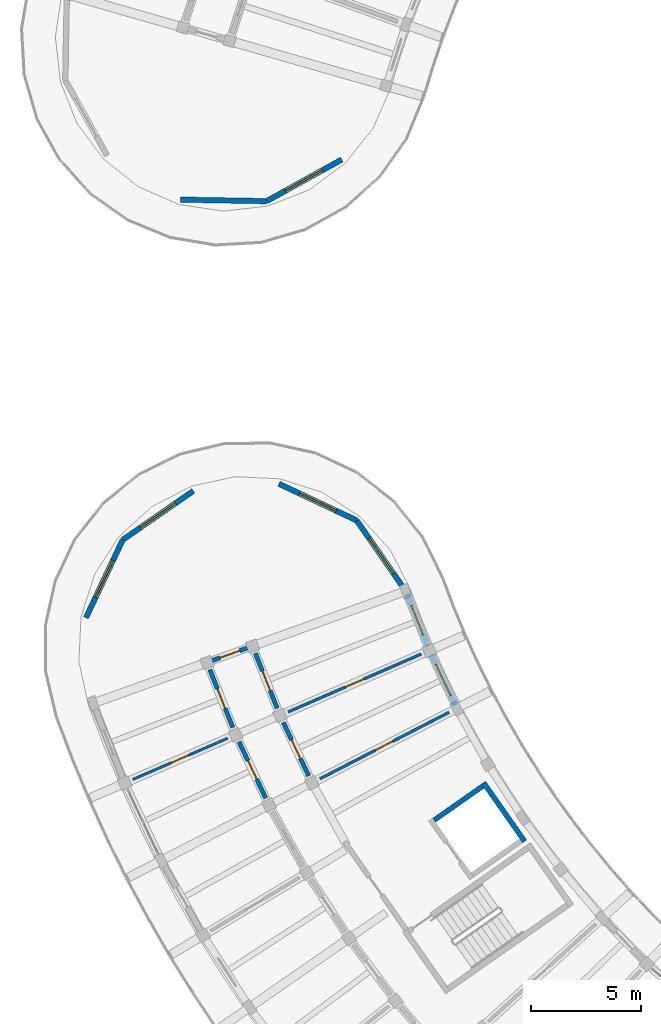
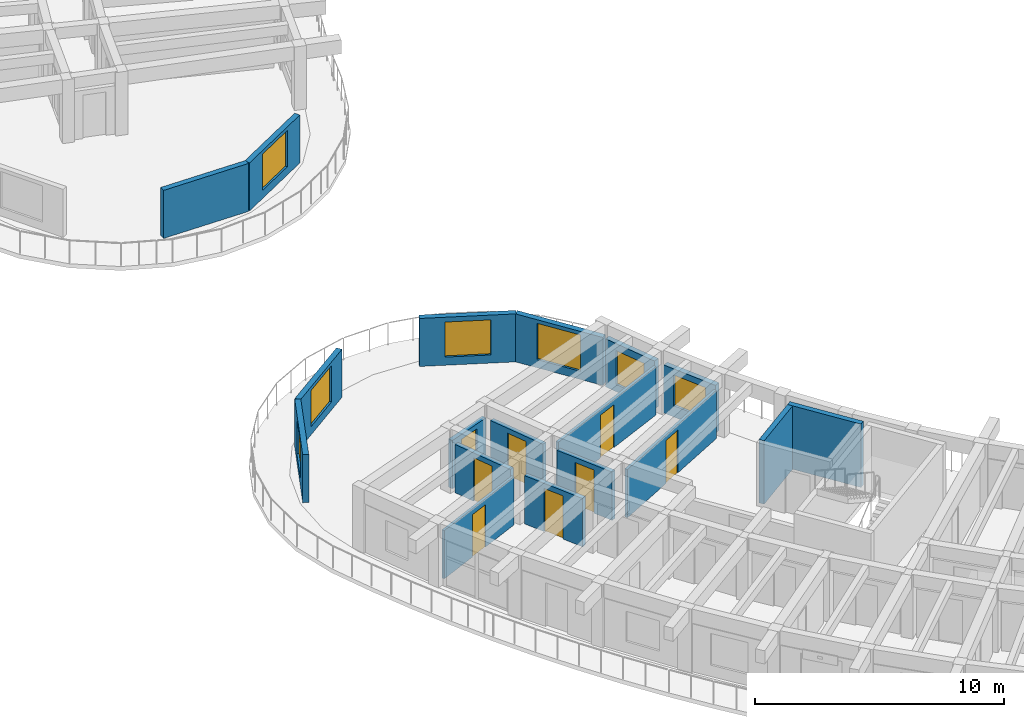
# One storey, part 44 of 83: 18 walls, 8 doors, 7 windows, 15 openings.
"""IFC4 building model written with IfcOpenShell, lengths in metres."""

from ifc_helpers import new_model, si_unit, direction, frame, frame_2d, origin, place, context, subcontext, project, spatial, rectangle, extrude, material, layer, layer_set, type_object, element, fill, save


model = new_model("IFC4")

# Units and contexts
model_context = context("Model", 3, precision=1e-05, world=origin(), true_north=direction((0.0, 1.0)))
body_context = subcontext(model_context, "Body", "Model", "MODEL_VIEW")
ifc_project = project(units=[si_unit("LENGTHUNIT", "METRE"), si_unit("AREAUNIT", "SQUARE_METRE"), si_unit("VOLUMEUNIT", "CUBIC_METRE"), si_unit("PLANEANGLEUNIT", "RADIAN"), si_unit("MASSUNIT", "GRAM", prefix="KILO")], contexts=[model_context])

# Site, building, storey
site_placement = place(None, origin())
site = spatial("IfcSite", under=ifc_project, at=site_placement, CompositionType="ELEMENT")
building_placement = place(site_placement, origin())
building = spatial("IfcBuilding", under=site, at=building_placement, Name="Tanwirah Colonnade Gardens", CompositionType="ELEMENT")
storey_placement = place(building_placement, frame((0.0, 0.0, 25.639892578125)))
storey = spatial("IfcBuildingStorey", under=building, at=storey_placement, Name="L07", CompositionType="ELEMENT", Elevation=25.639892578125)

# Wall, opening, window
ifc_material_1 = material(Name="Limestone architectural precast concrete C40/50", Category="masonry")
ifc_layer_1 = layer(ifc_material_1, 0.2451171875)
ifc_layer_set_1 = layer_set([ifc_layer_1], Name="Limestone architectural precast concrete C40/50")
wall_type_1 = type_object("IfcWallType", Name="EW-PC245", PredefinedType="SOLIDWALL", material=ifc_layer_set_1)
wall_1_placement = place(storey_placement, frame((20.259033203125, 69.10205078125, 0.0), z_axis=(0.0, 0.0, 1.0), x_axis=(-0.874643043537, -0.484767517881, 0.0)))
wall_1 = element("IfcWall", 1, at=wall_1_placement, inside=storey, type_object=wall_type_1, Name="Block A L07 END Rounded End Wall 1", PredefinedType="SOLIDWALL", context=body_context, shape_type="SweptSolid", body=[
    extrude(rectangle(XDim=3.908203125, YDim=0.2451171875, at=frame_2d((1.9541015625, 0.0))), origin(), (0.0, 0.0, 1.0), 2.355224609375),
])
opening_1_placement = place(wall_1_placement, frame((0.97900390625, 0.0, 0.39990234375)))
opening_1 = element("IfcOpeningElement", 2, at=opening_1_placement, cuts=wall_1, Name="Opening WIN-END2", PredefinedType="OPENING", context=body_context, shape_type="SweptSolid", body=[
    extrude(rectangle(XDim=1.949951171875, YDim=1.780029296875, at=frame_2d((0.97509765625, 0.89013671875))), frame((0.0, 0.132568359375, 0.0), z_axis=(0.0, -1.0, 0.0), x_axis=(1.0, 0.0, 0.0)), (0.0, 0.0, 1.0), 0.26513671875),
])
ifc_material_2 = material(Name="Thermally broken bronze aluminium and solar low-E double glazing", Category="aluminium")
window_type_1 = type_object("IfcWindowType", Name="WIN-END2", PartitioningType="TRIPLE_PANEL_VERTICAL", PredefinedType="WINDOW", material=ifc_material_2)
window_1_placement = place(opening_1_placement, origin())
window_1 = element("IfcWindow", 3, at=window_1_placement, inside=storey, type_object=window_type_1, Name="Rounded corner window A-L07-END-1", OverallHeight=1.780029296875, OverallWidth=1.949951171875, PartitioningType="SINGLE_PANEL", PredefinedType="WINDOW", context=body_context, shape_type="SweptSolid", body=[
    extrude(rectangle(XDim=1.949951171875, YDim=1.780029296875, at=frame_2d((0.97509765625, 0.89013671875))), frame((0.0, 0.030029296875, 0.0), z_axis=(0.0, -1.0, 0.0), x_axis=(1.0, 0.0, 0.0)), (0.0, 0.0, 1.0), 0.06005859375),
])
fill(opening_1, window_1)

# Wall
wall_2_placement = place(storey_placement, frame((16.8408203125, 67.20751953125, 0.0), z_axis=(0.0, 0.0, 1.0), x_axis=(-0.999848096392, 0.017429404492, 0.0)))
element("IfcWall", 4, at=wall_2_placement, inside=storey, type_object=wall_type_1, Name="Block A L07 END Rounded End Wall 2", PredefinedType="SOLIDWALL", context=body_context, shape_type="SweptSolid", body=[
    extrude(rectangle(XDim=3.907958984375, YDim=0.2451171875, at=frame_2d((1.9541015625, 0.0))), origin(), (0.0, 0.0, 1.0), 2.355224609375),
])

# Wall, opening, window
wall_3_placement = place(storey_placement, frame((23.2236328125, 49.330810546875, 0.0), z_axis=(0.0, 0.0, 1.0), x_axis=(0.368586804501, -0.929593334501, 0.0)))
wall_3 = element("IfcWall", 5, at=wall_3_placement, inside=storey, type_object=wall_type_1, Name="Block C L07 IN Precast Facade Wall 1", PredefinedType="SOLIDWALL", context=body_context, shape_type="SweptSolid", body=[
    extrude(rectangle(XDim=2.523681640625, YDim=0.2451171875, at=frame_2d((1.26171875, 0.0))), origin(), (0.0, 0.0, 1.0), 2.355224609375),
])
opening_2_placement = place(wall_3_placement, frame((0.5419921875, 0.0, 0.35009765625)))
opening_2 = element("IfcOpeningElement", 6, at=opening_2_placement, cuts=wall_3, Name="Opening WIN-U08", PredefinedType="OPENING", context=body_context, shape_type="SweptSolid", body=[
    extrude(rectangle(XDim=1.43994140625, YDim=1.659912109375, at=frame_2d((0.719970703125, 0.830078125))), frame((0.0, 0.132568359375, 0.0), z_axis=(0.0, -1.0, 0.0), x_axis=(1.0, 0.0, 0.0)), (0.0, 0.0, 1.0), 0.26513671875),
])
window_type_2 = type_object("IfcWindowType", Name="WIN-U08", PartitioningType="DOUBLE_PANEL_VERTICAL", PredefinedType="WINDOW", material=ifc_material_2)
window_2_placement = place(opening_2_placement, origin())
window_2 = element("IfcWindow", 7, at=window_2_placement, inside=storey, type_object=window_type_2, Name="Facade window C-L07-IN-01", OverallHeight=1.659912109375, OverallWidth=1.43994140625, PartitioningType="SINGLE_PANEL", PredefinedType="WINDOW", context=body_context, shape_type="SweptSolid", body=[
    extrude(rectangle(XDim=1.43994140625, YDim=1.659912109375, at=frame_2d((0.719970703125, 0.830078125))), frame((0.0, 0.030029296875, 0.0), z_axis=(0.0, -1.0, 0.0), x_axis=(1.0, 0.0, 0.0)), (0.0, 0.0, 1.0), 0.06005859375),
])
fill(opening_2, window_2)

wall_4_placement = place(storey_placement, frame((24.3330078125, 46.572265625, 0.0), z_axis=(0.0, 0.0, 1.0), x_axis=(0.428543710186, -0.903521050369, 0.0)))
wall_4 = element("IfcWall", 8, at=wall_4_placement, inside=storey, type_object=wall_type_1, Name="Block C L07 IN Precast Facade Wall 2", PredefinedType="SOLIDWALL", context=body_context, shape_type="SweptSolid", body=[
    extrude(rectangle(XDim=2.523681640625, YDim=0.2451171875, at=frame_2d((1.26171875, 0.0))), origin(), (0.0, 0.0, 1.0), 2.355224609375),
])
opening_3_placement = place(wall_4_placement, frame((0.48193359375, 0.0, 0.550048828125)))
opening_3 = element("IfcOpeningElement", 9, at=opening_3_placement, cuts=wall_4, Name="Opening WIN-U11", PredefinedType="OPENING", context=body_context, shape_type="SweptSolid", body=[
    extrude(rectangle(XDim=1.56005859375, YDim=1.510009765625, at=frame_2d((0.780029296875, 0.7548828125))), frame((0.0, 0.132568359375, 0.0), z_axis=(0.0, -1.0, 0.0), x_axis=(1.0, 0.0, 0.0)), (0.0, 0.0, 1.0), 0.26513671875),
])
window_type_3 = type_object("IfcWindowType", Name="WIN-U11", PartitioningType="DOUBLE_PANEL_VERTICAL", PredefinedType="WINDOW", material=ifc_material_2)
window_3_placement = place(opening_3_placement, origin())
window_3 = element("IfcWindow", 10, at=window_3_placement, inside=storey, type_object=window_type_3, Name="Facade window C-L07-IN-02", OverallHeight=1.510009765625, OverallWidth=1.56005859375, PartitioningType="SINGLE_PANEL", PredefinedType="WINDOW", context=body_context, shape_type="SweptSolid", body=[
    extrude(rectangle(XDim=1.56005859375, YDim=1.510009765625, at=frame_2d((0.780029296875, 0.7548828125))), frame((0.0, 0.030029296875, 0.0), z_axis=(0.0, -1.0, 0.0), x_axis=(1.0, 0.0, 0.0)), (0.0, 0.0, 1.0), 0.06005859375),
])
fill(opening_3, window_3)

wall_5_placement = place(storey_placement, frame((8.62939453125, 48.271728515625, 0.0), z_axis=(0.0, 0.0, 1.0), x_axis=(0.42653093848, 0.904472972796, 0.0)))
wall_5 = element("IfcWall", 11, at=wall_5_placement, inside=storey, type_object=wall_type_1, Name="Block C L07 START Rounded End Wall 1", PredefinedType="SOLIDWALL", context=body_context, shape_type="SweptSolid", body=[
    extrude(rectangle(XDim=3.908203125, YDim=0.2451171875, at=frame_2d((1.9541015625, 0.0))), origin(), (0.0, 0.0, 1.0), 2.355224609375),
])
opening_4_placement = place(wall_5_placement, frame((1.029052734375, 0.0, 0.39990234375)))
opening_4 = element("IfcOpeningElement", 12, at=opening_4_placement, cuts=wall_5, Name="Opening WIN-END1", PredefinedType="OPENING", context=body_context, shape_type="SweptSolid", body=[
    extrude(rectangle(XDim=1.85009765625, YDim=1.719970703125, at=frame_2d((0.925048828125, 0.85986328125))), frame((0.0, 0.132568359375, 0.0), z_axis=(0.0, -1.0, 0.0), x_axis=(1.0, 0.0, 0.0)), (0.0, 0.0, 1.0), 0.26513671875),
])
window_type_4 = type_object("IfcWindowType", Name="WIN-END1", PartitioningType="TRIPLE_PANEL_VERTICAL", PredefinedType="WINDOW", material=ifc_material_2)
window_4_placement = place(opening_4_placement, origin())
window_4 = element("IfcWindow", 13, at=window_4_placement, inside=storey, type_object=window_type_4, Name="Rounded corner window C-L07-START-1", OverallHeight=1.719970703125, OverallWidth=1.85009765625, PartitioningType="SINGLE_PANEL", PredefinedType="WINDOW", context=body_context, shape_type="SweptSolid", body=[
    extrude(rectangle(XDim=1.85009765625, YDim=1.719970703125, at=frame_2d((0.925048828125, 0.85986328125))), frame((0.0, 0.030029296875, 0.0), z_axis=(0.0, -1.0, 0.0), x_axis=(1.0, 0.0, 0.0)), (0.0, 0.0, 1.0), 0.06005859375),
])
fill(opening_4, window_4)

wall_6_placement = place(storey_placement, frame((10.29638671875, 51.806640625, 0.0), z_axis=(0.0, 0.0, 1.0), x_axis=(0.821663343994, 0.569973112644, 0.0)))
wall_6 = element("IfcWall", 14, at=wall_6_placement, inside=storey, type_object=wall_type_1, Name="Block C L07 START Rounded End Wall 2", PredefinedType="SOLIDWALL", context=body_context, shape_type="SweptSolid", body=[
    extrude(rectangle(XDim=3.908203125, YDim=0.2451171875, at=frame_2d((1.9541015625, 0.0))), origin(), (0.0, 0.0, 1.0), 2.355224609375),
])
opening_5_placement = place(wall_6_placement, frame((0.97900390625, 0.0, 0.39990234375)))
opening_5 = element("IfcOpeningElement", 15, at=opening_5_placement, cuts=wall_6, Name="Opening WIN-END2", PredefinedType="OPENING", context=body_context, shape_type="SweptSolid", body=[
    extrude(rectangle(XDim=1.949951171875, YDim=1.780029296875, at=frame_2d((0.97509765625, 0.89013671875))), frame((0.0, 0.132568359375, 0.0), z_axis=(0.0, -1.0, 0.0), x_axis=(1.0, 0.0, 0.0)), (0.0, 0.0, 1.0), 0.26513671875),
])
window_5_placement = place(opening_5_placement, origin())
window_5 = element("IfcWindow", 16, at=window_5_placement, inside=storey, type_object=window_type_1, Name="Rounded corner window C-L07-START-2", OverallHeight=1.780029296875, OverallWidth=1.949951171875, PartitioningType="SINGLE_PANEL", PredefinedType="WINDOW", context=body_context, shape_type="SweptSolid", body=[
    extrude(rectangle(XDim=1.949951171875, YDim=1.780029296875, at=frame_2d((0.97509765625, 0.89013671875))), frame((0.0, 0.030029296875, 0.0), z_axis=(0.0, -1.0, 0.0), x_axis=(1.0, 0.0, 0.0)), (0.0, 0.0, 1.0), 0.06005859375),
])
fill(opening_5, window_5)

wall_7_placement = place(storey_placement, frame((17.40234375, 54.35791015625, 0.0), z_axis=(0.0, 0.0, 1.0), x_axis=(0.904437504678, -0.426606141694, 0.0)))
wall_7 = element("IfcWall", 17, at=wall_7_placement, inside=storey, type_object=wall_type_1, Name="Block C L07 START Rounded End Wall 4", PredefinedType="SOLIDWALL", context=body_context, shape_type="SweptSolid", body=[
    extrude(rectangle(XDim=3.908203125, YDim=0.2451171875, at=frame_2d((1.9541015625, 0.0))), origin(), (0.0, 0.0, 1.0), 2.355224609375),
])
opening_6_placement = place(wall_7_placement, frame((1.029052734375, 0.0, 0.39990234375)))
opening_6 = element("IfcOpeningElement", 18, at=opening_6_placement, cuts=wall_7, Name="Opening WIN-END1", PredefinedType="OPENING", context=body_context, shape_type="SweptSolid", body=[
    extrude(rectangle(XDim=1.85009765625, YDim=1.719970703125, at=frame_2d((0.925048828125, 0.85986328125))), frame((0.0, 0.132568359375, 0.0), z_axis=(0.0, -1.0, 0.0), x_axis=(1.0, 0.0, 0.0)), (0.0, 0.0, 1.0), 0.26513671875),
])
window_6_placement = place(opening_6_placement, origin())
window_6 = element("IfcWindow", 19, at=window_6_placement, inside=storey, type_object=window_type_4, Name="Rounded corner window C-L07-START-4", OverallHeight=1.719970703125, OverallWidth=1.85009765625, PartitioningType="SINGLE_PANEL", PredefinedType="WINDOW", context=body_context, shape_type="SweptSolid", body=[
    extrude(rectangle(XDim=1.85009765625, YDim=1.719970703125, at=frame_2d((0.925048828125, 0.85986328125))), frame((0.0, 0.030029296875, 0.0), z_axis=(0.0, -1.0, 0.0), x_axis=(1.0, 0.0, 0.0)), (0.0, 0.0, 1.0), 0.06005859375),
])
fill(opening_6, window_6)

wall_8_placement = place(storey_placement, frame((20.93701171875, 52.690673828125, 0.0), z_axis=(0.0, 0.0, 1.0), x_axis=(0.570015285568, -0.82163408779, 0.0)))
wall_8 = element("IfcWall", 20, at=wall_8_placement, inside=storey, type_object=wall_type_1, Name="Block C L07 START Rounded End Wall 5", PredefinedType="SOLIDWALL", context=body_context, shape_type="SweptSolid", body=[
    extrude(rectangle(XDim=3.908203125, YDim=0.2451171875, at=frame_2d((1.9541015625, 0.0))), origin(), (0.0, 0.0, 1.0), 2.355224609375),
])
opening_7_placement = place(wall_8_placement, frame((0.97900390625, 0.0, 0.39990234375)))
opening_7 = element("IfcOpeningElement", 21, at=opening_7_placement, cuts=wall_8, Name="Opening WIN-END2", PredefinedType="OPENING", context=body_context, shape_type="SweptSolid", body=[
    extrude(rectangle(XDim=1.949951171875, YDim=1.780029296875, at=frame_2d((0.97509765625, 0.89013671875))), frame((0.0, 0.132568359375, 0.0), z_axis=(0.0, -1.0, 0.0), x_axis=(1.0, 0.0, 0.0)), (0.0, 0.0, 1.0), 0.26513671875),
])
window_7_placement = place(opening_7_placement, origin())
window_7 = element("IfcWindow", 22, at=window_7_placement, inside=storey, type_object=window_type_1, Name="Rounded corner window C-L07-START-5", OverallHeight=1.780029296875, OverallWidth=1.949951171875, PartitioningType="SINGLE_PANEL", PredefinedType="WINDOW", context=body_context, shape_type="SweptSolid", body=[
    extrude(rectangle(XDim=1.949951171875, YDim=1.780029296875, at=frame_2d((0.97509765625, 0.89013671875))), frame((0.0, 0.030029296875, 0.0), z_axis=(0.0, -1.0, 0.0), x_axis=(1.0, 0.0, 0.0)), (0.0, 0.0, 1.0), 0.06005859375),
])
fill(opening_7, window_7)

# Wall, opening, door
ifc_material_3 = material(Name="Precast concrete C40/50", Category="concrete")
ifc_layer_2 = layer(ifc_material_3, 0.195068359375)
ifc_layer_set_2 = layer_set([ifc_layer_2], Name="Precast concrete C40/50")
wall_type_2 = type_object("IfcWallType", Name="IW-CORR195", PredefinedType="PARTITIONING", material=ifc_layer_set_2)
wall_9_placement = place(storey_placement, frame((14.25830078125, 45.91015625, 0.0), z_axis=(0.0, 0.0, 1.0), x_axis=(0.368584691693, -0.929594172233, 0.0)))
wall_9 = element("IfcWall", 23, at=wall_9_placement, inside=storey, type_object=wall_type_2, Name="Block C L07 OUT Corridor Wall 1", PredefinedType="PARTITIONING", context=body_context, shape_type="SweptSolid", body=[
    extrude(rectangle(XDim=2.8369140625, YDim=0.195068359375, at=frame_2d((1.41845703125, 0.0))), origin(), (0.0, 0.0, 1.0), 2.3701171875),
])
opening_8_placement = place(wall_9_placement, frame((0.943603515625, 0.0, 0.0)))
opening_8 = element("IfcOpeningElement", 24, at=opening_8_placement, cuts=wall_9, Name="Opening L07-AD1539", PredefinedType="OPENING", context=body_context, shape_type="SweptSolid", body=[
    extrude(rectangle(XDim=0.949951171875, YDim=2.1298828125, at=frame_2d((0.47509765625, 1.06494140625))), frame((0.0, 0.107421875, 0.0), z_axis=(0.0, -1.0, 0.0), x_axis=(1.0, 0.0, 0.0)), (0.0, 0.0, 1.0), 0.215087890625),
])
ifc_material_4 = material(Name="Solid oak fire-resisting apartment entrance door")
door_type_1 = type_object("IfcDoorType", Name="ID-FLT095", OperationType="NOTDEFINED", PredefinedType="DOOR", material=ifc_material_4)
door_1_placement = place(opening_8_placement, origin())
door_1 = element("IfcDoor", 25, at=door_1_placement, inside=storey, type_object=door_type_1, Name="Apartment corridor door L07-AD1539", OperationType="SINGLE_SWING_LEFT", OverallHeight=2.1298828125, OverallWidth=0.949951171875, PredefinedType="DOOR", context=body_context, shape_type="SweptSolid", body=[
    extrude(rectangle(XDim=0.949951171875, YDim=2.1298828125, at=frame_2d((0.47509765625, 1.06494140625))), frame((0.0, 0.02490234375, 0.0), z_axis=(0.0, -1.0, 0.0), x_axis=(1.0, 0.0, 0.0)), (0.0, 0.0, 1.0), 0.050048828125),
])
fill(opening_8, door_1)

wall_10_placement = place(storey_placement, frame((16.3291015625, 46.653564453125, 0.0), z_axis=(0.0, 0.0, 1.0), x_axis=(0.368528468945, -0.929616462622, 0.0)))
wall_10 = element("IfcWall", 26, at=wall_10_placement, inside=storey, type_object=wall_type_2, Name="Block C L07 IN Corridor Wall 1", PredefinedType="PARTITIONING", context=body_context, shape_type="SweptSolid", body=[
    extrude(rectangle(XDim=2.69287109375, YDim=0.195068359375, at=frame_2d((1.346435546875, 0.0))), origin(), (0.0, 0.0, 1.0), 2.3701171875),
])
opening_9_placement = place(wall_10_placement, frame((0.87158203125, 0.0, 0.0)))
opening_9 = element("IfcOpeningElement", 27, at=opening_9_placement, cuts=wall_10, Name="Opening L07-AD1540", PredefinedType="OPENING", context=body_context, shape_type="SweptSolid", body=[
    extrude(rectangle(XDim=0.949951171875, YDim=2.1298828125, at=frame_2d((0.47509765625, 1.06494140625))), frame((0.0, 0.107421875, 0.0), z_axis=(0.0, -1.0, 0.0), x_axis=(1.0, 0.0, 0.0)), (0.0, 0.0, 1.0), 0.215087890625),
])
door_2_placement = place(opening_9_placement, origin())
door_2 = element("IfcDoor", 28, at=door_2_placement, inside=storey, type_object=door_type_1, Name="Apartment corridor door L07-AD1540", OperationType="SINGLE_SWING_RIGHT", OverallHeight=2.1298828125, OverallWidth=0.949951171875, PredefinedType="DOOR", context=body_context, shape_type="SweptSolid", body=[
    extrude(rectangle(XDim=0.949951171875, YDim=2.1298828125, at=frame_2d((0.47509765625, 1.06494140625))), frame((0.0, 0.02490234375, 0.0), z_axis=(0.0, -1.0, 0.0), x_axis=(1.0, 0.0, 0.0)), (0.0, 0.0, 1.0), 0.050048828125),
])
fill(opening_9, door_2)

wall_11_placement = place(storey_placement, frame((15.5830078125, 42.63134765625, 0.0), z_axis=(0.0, 0.0, 1.0), x_axis=(0.428493237107, -0.903544988229, 0.0)))
wall_11 = element("IfcWall", 29, at=wall_11_placement, inside=storey, type_object=wall_type_2, Name="Block C L07 OUT Corridor Wall 2", PredefinedType="PARTITIONING", context=body_context, shape_type="SweptSolid", body=[
    extrude(rectangle(XDim=2.8369140625, YDim=0.195068359375, at=frame_2d((1.41845703125, 0.0))), origin(), (0.0, 0.0, 1.0), 2.3701171875),
])
opening_10_placement = place(wall_11_placement, frame((0.95361328125, 0.0, 0.0)))
opening_10 = element("IfcOpeningElement", 30, at=opening_10_placement, cuts=wall_11, Name="Opening L07-AD1543", PredefinedType="OPENING", context=body_context, shape_type="SweptSolid", body=[
    extrude(rectangle(XDim=0.929931640625, YDim=2.1201171875, at=frame_2d((0.46484375, 1.06005859375))), frame((0.0, 0.107421875, 0.0), z_axis=(0.0, -1.0, 0.0), x_axis=(1.0, 0.0, 0.0)), (0.0, 0.0, 1.0), 0.215087890625),
])
door_type_2 = type_object("IfcDoorType", Name="ID-FLT093", OperationType="NOTDEFINED", PredefinedType="DOOR", material=ifc_material_4)
door_3_placement = place(opening_10_placement, origin())
door_3 = element("IfcDoor", 31, at=door_3_placement, inside=storey, type_object=door_type_2, Name="Apartment corridor door L07-AD1543", OperationType="SINGLE_SWING_RIGHT", OverallHeight=2.1201171875, OverallWidth=0.929931640625, PredefinedType="DOOR", context=body_context, shape_type="SweptSolid", body=[
    extrude(rectangle(XDim=0.929931640625, YDim=2.1201171875, at=frame_2d((0.46484375, 1.06005859375))), frame((0.0, 0.02490234375, 0.0), z_axis=(0.0, -1.0, 0.0), x_axis=(1.0, 0.0, 0.0)), (0.0, 0.0, 1.0), 0.050048828125),
])
fill(opening_10, door_3)

wall_12_placement = place(storey_placement, frame((17.600341796875, 43.508544921875, 0.0), z_axis=(0.0, 0.0, 1.0), x_axis=(0.428550049392, -0.903518043631, 0.0)))
wall_12 = element("IfcWall", 32, at=wall_12_placement, inside=storey, type_object=wall_type_2, Name="Block C L07 IN Corridor Wall 2", PredefinedType="PARTITIONING", context=body_context, shape_type="SweptSolid", body=[
    extrude(rectangle(XDim=2.69287109375, YDim=0.195068359375, at=frame_2d((1.346435546875, 0.0))), origin(), (0.0, 0.0, 1.0), 2.3701171875),
])
opening_11_placement = place(wall_12_placement, frame((0.881591796875, 0.0, 0.0)))
opening_11 = element("IfcOpeningElement", 33, at=opening_11_placement, cuts=wall_12, Name="Opening L07-AD1544", PredefinedType="OPENING", context=body_context, shape_type="SweptSolid", body=[
    extrude(rectangle(XDim=0.929931640625, YDim=2.1201171875, at=frame_2d((0.46484375, 1.06005859375))), frame((0.0, 0.107421875, 0.0), z_axis=(0.0, -1.0, 0.0), x_axis=(1.0, 0.0, 0.0)), (0.0, 0.0, 1.0), 0.215087890625),
])
door_4_placement = place(opening_11_placement, origin())
door_4 = element("IfcDoor", 34, at=door_4_placement, inside=storey, type_object=door_type_2, Name="Apartment corridor door L07-AD1544", OperationType="SINGLE_SWING_LEFT", OverallHeight=2.1201171875, OverallWidth=0.929931640625, PredefinedType="DOOR", context=body_context, shape_type="SweptSolid", body=[
    extrude(rectangle(XDim=0.929931640625, YDim=2.1201171875, at=frame_2d((0.46484375, 1.06005859375))), frame((0.0, 0.02490234375, 0.0), z_axis=(0.0, -1.0, 0.0), x_axis=(1.0, 0.0, 0.0)), (0.0, 0.0, 1.0), 0.050048828125),
])
fill(opening_11, door_4)

wall_13_placement = place(storey_placement, frame((16.153076171875, 46.962158203125, 0.0), z_axis=(0.0, 0.0, 1.0), x_axis=(-0.941167179085, -0.337941327767, 0.0)))
wall_13 = element("IfcWall", 35, at=wall_13_placement, inside=storey, type_object=wall_type_2, Name="Block C L07 CS Corner Suite Corridor Wall", PredefinedType="PARTITIONING", context=body_context, shape_type="SweptSolid", body=[
    extrude(rectangle(XDim=2.10009765625, YDim=0.195068359375, at=frame_2d((1.050048828125, 0.0))), origin(), (0.0, 0.0, 1.0), 2.3701171875),
])
opening_12_placement = place(wall_13_placement, frame((0.570068359375, 0.0, 0.0)))
opening_12 = element("IfcOpeningElement", 36, at=opening_12_placement, cuts=wall_13, Name="Opening L07-CD1573", PredefinedType="OPENING", context=body_context, shape_type="SweptSolid", body=[
    extrude(rectangle(XDim=0.949951171875, YDim=2.1298828125, at=frame_2d((0.47509765625, 1.06494140625))), frame((0.0, 0.107421875, 0.0), z_axis=(0.0, -1.0, 0.0), x_axis=(1.0, 0.0, 0.0)), (0.0, 0.0, 1.0), 0.215087890625),
])
door_5_placement = place(opening_12_placement, origin())
door_5 = element("IfcDoor", 37, at=door_5_placement, inside=storey, type_object=door_type_1, Name="Corner suite entrance door L07-CD1573", OperationType="SINGLE_SWING_LEFT", OverallHeight=2.1298828125, OverallWidth=0.949951171875, PredefinedType="DOOR", context=body_context, shape_type="SweptSolid", body=[
    extrude(rectangle(XDim=0.949951171875, YDim=2.1298828125, at=frame_2d((0.47509765625, 1.06494140625))), frame((0.0, 0.02490234375, 0.0), z_axis=(0.0, -1.0, 0.0), x_axis=(1.0, 0.0, 0.0)), (0.0, 0.0, 1.0), 0.050048828125),
])
fill(opening_12, door_5)

ifc_material_5 = material(Name="Acoustic gypsum stud partition")
ifc_layer_3 = layer(ifc_material_5, 0.114990234375)
ifc_layer_set_3 = layer_set([ifc_layer_3], Name="Acoustic gypsum stud partition")
wall_type_3 = type_object("IfcWallType", Name="IW-INT115", PredefinedType="PARTITIONING", material=ifc_layer_set_3)
wall_14_placement = place(storey_placement, frame((15.066162109375, 42.7880859375, 0.0), z_axis=(0.0, 0.0, 1.0), x_axis=(-0.917071707884, -0.398722312643, 0.0)))
wall_14 = element("IfcWall", 38, at=wall_14_placement, inside=storey, type_object=wall_type_3, Name="Block C L07 Radial Partition 1", PredefinedType="PARTITIONING", context=body_context, shape_type="SweptSolid", body=[
    extrude(rectangle(XDim=4.699951171875, YDim=0.114990234375, at=frame_2d((2.35009765625, 0.0))), origin(), (0.0, 0.0, 1.0), 2.3701171875),
])
opening_13_placement = place(wall_14_placement, frame((1.9150390625, 0.0, 0.0)))
opening_13 = element("IfcOpeningElement", 39, at=opening_13_placement, cuts=wall_14, Name="Opening L07-RD1541", PredefinedType="OPENING", context=body_context, shape_type="SweptSolid", body=[
    extrude(rectangle(XDim=0.8701171875, YDim=2.080078125, at=frame_2d((0.43505859375, 1.0400390625))), frame((0.0, 0.0673828125, 0.0), z_axis=(0.0, -1.0, 0.0), x_axis=(1.0, 0.0, 0.0)), (0.0, 0.0, 1.0), 0.135009765625),
])
ifc_material_6 = material(Name="Painted hardwood study door", Category="wood")
door_type_3 = type_object("IfcDoorType", Name="ID-RM087", OperationType="NOTDEFINED", PredefinedType="DOOR", material=ifc_material_6)
door_6_placement = place(opening_13_placement, origin())
door_6 = element("IfcDoor", 40, at=door_6_placement, inside=storey, type_object=door_type_3, Name="Internal apartment door L07-RD1541", OperationType="SINGLE_SWING_LEFT", OverallHeight=2.080078125, OverallWidth=0.8701171875, PredefinedType="DOOR", context=body_context, shape_type="SweptSolid", body=[
    extrude(rectangle(XDim=0.8701171875, YDim=2.080078125, at=frame_2d((0.43505859375, 1.0400390625))), frame((0.0, 0.02490234375, 0.0), z_axis=(0.0, -1.0, 0.0), x_axis=(1.0, 0.0, 0.0)), (0.0, 0.0, 1.0), 0.050048828125),
])
fill(opening_13, door_6)

ifc_material_7 = material(Name="Moisture-resistant gypsum stud partition")
ifc_layer_4 = layer(ifc_material_7, 0.125)
ifc_layer_set_4 = layer_set([ifc_layer_4], Name="Moisture-resistant gypsum stud partition")
wall_type_4 = type_object("IfcWallType", Name="IW-INT125", PredefinedType="PARTITIONING", material=ifc_layer_set_4)
wall_15_placement = place(storey_placement, frame((23.869873046875, 46.6162109375, 0.0), z_axis=(0.0, 0.0, 1.0), x_axis=(-0.9170582943, -0.398753162817, 0.0)))
wall_15 = element("IfcWall", 41, at=wall_15_placement, inside=storey, type_object=wall_type_4, Name="Block C L07 Inner Radial Partition 1", PredefinedType="PARTITIONING", context=body_context, shape_type="SweptSolid", body=[
    extrude(rectangle(XDim=6.60009765625, YDim=0.125, at=frame_2d((3.300048828125, 0.0))), origin(), (0.0, 0.0, 1.0), 2.3701171875),
])
opening_14_placement = place(wall_15_placement, frame((2.844970703125, 0.0, 0.0)))
opening_14 = element("IfcOpeningElement", 42, at=opening_14_placement, cuts=wall_15, Name="Opening L07-RD1542", PredefinedType="OPENING", context=body_context, shape_type="SweptSolid", body=[
    extrude(rectangle(XDim=0.909912109375, YDim=2.10009765625, at=frame_2d((0.455078125, 1.050048828125))), frame((0.0, 0.072509765625, 0.0), z_axis=(0.0, -1.0, 0.0), x_axis=(1.0, 0.0, 0.0)), (0.0, 0.0, 1.0), 0.14501953125),
])
ifc_material_8 = material(Name="Painted hardwood internal room door", Category="wood")
door_type_4 = type_object("IfcDoorType", Name="ID-RM091", OperationType="NOTDEFINED", PredefinedType="DOOR", material=ifc_material_8)
door_7_placement = place(opening_14_placement, origin())
door_7 = element("IfcDoor", 43, at=door_7_placement, inside=storey, type_object=door_type_4, Name="Internal apartment door L07-RD1542", OperationType="SINGLE_SWING_RIGHT", OverallHeight=2.10009765625, OverallWidth=0.909912109375, PredefinedType="DOOR", context=body_context, shape_type="SweptSolid", body=[
    extrude(rectangle(XDim=0.909912109375, YDim=2.10009765625, at=frame_2d((0.455078125, 1.050048828125))), frame((0.0, 0.02490234375, 0.0), z_axis=(0.0, -1.0, 0.0), x_axis=(1.0, 0.0, 0.0)), (0.0, 0.0, 1.0), 0.050048828125),
])
fill(opening_14, door_7)

wall_16_placement = place(storey_placement, frame((25.127685546875, 43.96435546875, 0.0), z_axis=(0.0, 0.0, 1.0), x_axis=(-0.889022010753, -0.457864460727, 0.0)))
wall_16 = element("IfcWall", 44, at=wall_16_placement, inside=storey, type_object=wall_type_4, Name="Block C L07 Inner Radial Partition 2", PredefinedType="PARTITIONING", context=body_context, shape_type="SweptSolid", body=[
    extrude(rectangle(XDim=6.60009765625, YDim=0.125, at=frame_2d((3.300048828125, 0.0))), origin(), (0.0, 0.0, 1.0), 2.3701171875),
])
opening_15_placement = place(wall_16_placement, frame((2.85498046875, 0.0, 0.0)))
opening_15 = element("IfcOpeningElement", 45, at=opening_15_placement, cuts=wall_16, Name="Opening L07-RD1545", PredefinedType="OPENING", context=body_context, shape_type="SweptSolid", body=[
    extrude(rectangle(XDim=0.889892578125, YDim=2.10009765625, at=frame_2d((0.44482421875, 1.050048828125))), frame((0.0, 0.072509765625, 0.0), z_axis=(0.0, -1.0, 0.0), x_axis=(1.0, 0.0, 0.0)), (0.0, 0.0, 1.0), 0.14501953125),
])
ifc_material_9 = material(Name="Painted hardwood bedroom door", Category="wood")
door_type_5 = type_object("IfcDoorType", Name="ID-RM089", OperationType="NOTDEFINED", PredefinedType="DOOR", material=ifc_material_9)
door_8_placement = place(opening_15_placement, origin())
door_8 = element("IfcDoor", 46, at=door_8_placement, inside=storey, type_object=door_type_5, Name="Internal apartment door L07-RD1545", OperationType="SINGLE_SWING_LEFT", OverallHeight=2.10009765625, OverallWidth=0.889892578125, PredefinedType="DOOR", context=body_context, shape_type="SweptSolid", body=[
    extrude(rectangle(XDim=0.889892578125, YDim=2.10009765625, at=frame_2d((0.44482421875, 1.050048828125))), frame((0.0, 0.02490234375, 0.0), z_axis=(0.0, -1.0, 0.0), x_axis=(1.0, 0.0, 0.0)), (0.0, 0.0, 1.0), 0.050048828125),
])
fill(opening_15, door_8)

# Walls
ifc_material_10 = material(Name="Concrete C45/55", Category="concrete")
ifc_layer_5 = layer(ifc_material_10, 0.22998046875)
ifc_layer_set_5 = layer_set([ifc_layer_5], Name="Concrete C45/55")
wall_type_5 = type_object("IfcWallType", Name="SW-LIFT230", PredefinedType="SHEAR", material=ifc_layer_set_5)
wall_17_placement = place(storey_placement, frame((28.569091796875, 38.099609375, 0.0), z_axis=(0.0, 0.0, 1.0), x_axis=(-0.573582966431, 0.819147471839, 0.0)))
element("IfcWall", 47, at=wall_17_placement, inside=storey, type_object=wall_type_5, Name="CORE-C1 L07 Lift Shaft Wall BACK", PredefinedType="SHEAR", context=body_context, shape_type="SweptSolid", body=[
    extrude(rectangle(XDim=3.260009765625, YDim=0.22998046875, at=frame_2d((1.6298828125, 0.0))), origin(), (0.0, 0.0, 1.0), 3.110107421875),
])
wall_18_placement = place(storey_placement, frame((24.459228515625, 39.061279296875, 0.0), z_axis=(0.0, 0.0, 1.0), x_axis=(0.819189439894, 0.573523026186, 0.0)))
element("IfcWall", 48, at=wall_18_placement, inside=storey, type_object=wall_type_5, Name="CORE-C1 L07 Lift Shaft Wall SIDEB", PredefinedType="SHEAR", context=body_context, shape_type="SweptSolid", body=[
    extrude(rectangle(XDim=2.7001953125, YDim=0.22998046875, at=frame_2d((1.35009765625, 0.0))), origin(), (0.0, 0.0, 1.0), 3.110107421875),
])

save(model, "model.ifc")
